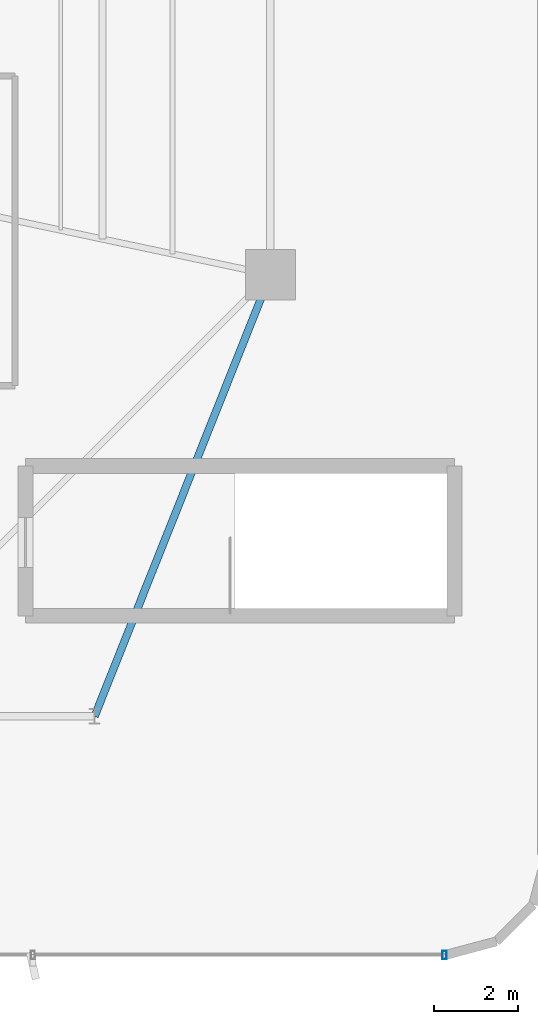
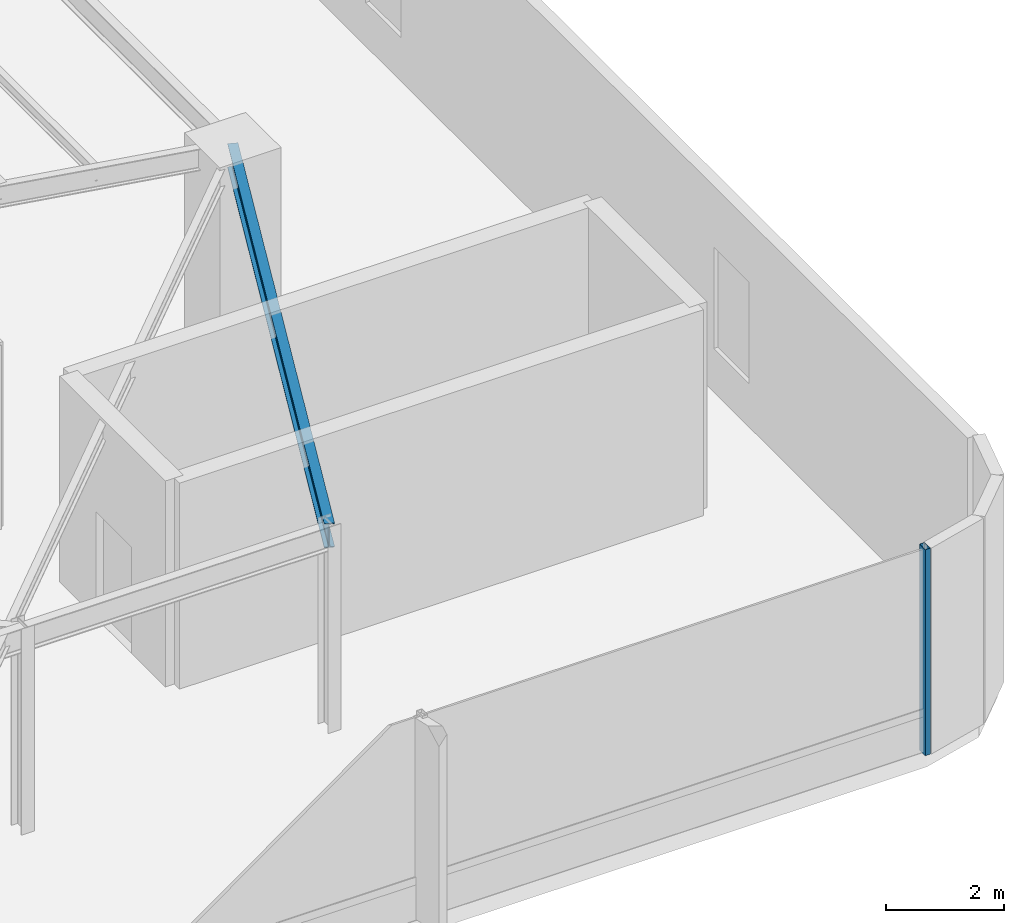
# One storey, part 11 of 26: 1 beam, 1 member, 1 element without a shape of its own.
"""IFC4 building model written with IfcOpenShell, lengths in metres."""

from ifc_helpers import new_model, si_unit, direction, frame, origin, origin_2d, place, context, subcontext, project, spatial, hollow_rectangle, i_section, extrude, source, transform, mapped, material, material_profile, profile_set, type_object, element, aggregate, save


model = new_model("IFC4")

# Units and contexts
model_context = context("Model", 3, precision=1e-05, world=origin(), true_north=direction((0.0, 1.0)))
body_context = subcontext(model_context, "Body", "Model", "MODEL_VIEW")
ifc_project = project(units=[si_unit("LENGTHUNIT", "METRE"), si_unit("AREAUNIT", "SQUARE_METRE"), si_unit("VOLUMEUNIT", "CUBIC_METRE"), si_unit("PLANEANGLEUNIT", "RADIAN"), si_unit("MASSUNIT", "GRAM", prefix="KILO")], contexts=[model_context])

# Site, building, storey
site_placement = place(None, origin())
site = spatial("IfcSite", under=ifc_project, at=site_placement, CompositionType="ELEMENT")
building_placement = place(site_placement, origin())
building = spatial("IfcBuilding", under=site, at=building_placement, Name="Sahyath Konkavel Grand Hotel", CompositionType="ELEMENT")
storey_placement = place(building_placement, frame((0.0, 0.0, 18.60009765625)))
storey = spatial("IfcBuildingStorey", under=building, at=storey_placement, Name="L04", CompositionType="ELEMENT", Elevation=18.60009765625)

# Beam
ifc_material_1 = material(Name="Steel E350", Category="steel")
ifc_material_profile_1 = material_profile(ifc_material_1, i_section(OverallWidth=0.179931640625, OverallDepth=0.5, WebThickness=0.01025390625, FlangeThickness=0.01708984375, FilletRadius=0.01708984375, at=origin_2d()), Name="ISMB 500")
ifc_profile_set_1 = profile_set([ifc_material_profile_1], Name="Steel E350")
beam_type = type_object("IfcBeamType", Name="BM-ISMB500", PredefinedType="BEAM", material=ifc_profile_set_1)
shared_shape_1 = source(origin(), body_context, "Body", "SweptSolid", [
    extrude(i_section(OverallWidth=0.179931640625, OverallDepth=0.5, WebThickness=0.01025390625, FlangeThickness=0.01708984375, FilletRadius=0.01708984375, at=origin_2d()), origin(), (0.0, 0.0, 1.0), 11.355224609375),
])
beam_placement = place(storey_placement, frame((18.0, -16.5, 3.949951171875), z_axis=(0.369866633086, 0.929084858196, 0.0), x_axis=(-0.929084858196, 0.369866633086, 0.0)))
element("IfcBeam", 1, at=beam_placement, inside=storey, type_object=beam_type, Name="str:bm:L04:POD34-16", PredefinedType="BEAM", context=body_context, shape_type="MappedRepresentation", body=[
    mapped(shared_shape_1, transform((0.0, 0.0, 0.0), scale=1.0)),
])

# Curtain wall, member
ifc_material_2 = material(Name="Anodised Bronze Aluminium & Low-E Glazing", Category="aluminium")
curtain_wall_type = type_object("IfcCurtainWallType", Name="CW-PODIUM", PredefinedType="NOTDEFINED", material=ifc_material_2)
curtain_wall_placement = place(storey_placement, origin())
curtain_wall = element("IfcCurtainWall", 2, at=curtain_wall_placement, inside=storey, type_object=curtain_wall_type, Name="L04 Unitised Curtain Wall S3", PredefinedType="NOTDEFINED")
ifc_material_3 = material(Name="Anodised Bronze Aluminium", Category="aluminium")
ifc_material_profile_2 = material_profile(ifc_material_3, hollow_rectangle(XDim=0.10009765625, YDim=0.199951171875, WallThickness=0.008056640625, at=origin_2d()), Name="RHS 200x100x8")
ifc_profile_set_2 = profile_set([ifc_material_profile_2], Name="Anodised Bronze Aluminium")
member_type = type_object("IfcMemberType", Name="CW-MUL-200", PredefinedType="MULLION", material=ifc_profile_set_2)
shared_shape_2 = source(origin(), body_context, "Body", "SweptSolid", [
    extrude(hollow_rectangle(XDim=0.10009765625, YDim=0.199951171875, WallThickness=0.008056640625, at=origin_2d()), origin(), (0.0, 0.0, 1.0), 4.260009765625),
])
member_placement = place(storey_placement, frame((26.360107421875, -22.199951171875, 0.0), z_axis=(0.0, 0.0, 1.0), x_axis=(1.0, 0.0, 0.0)))
member = element("IfcMember", 3, at=member_placement, type_object=member_type, Name="L04 Curtain Wall Mullion S3-2", PredefinedType="MULLION", context=body_context, shape_type="MappedRepresentation", body=[
    mapped(shared_shape_2, transform((0.0, 0.0, 0.0), scale=1.0)),
])
aggregate(curtain_wall, [member])

save(model, "model.ifc")
